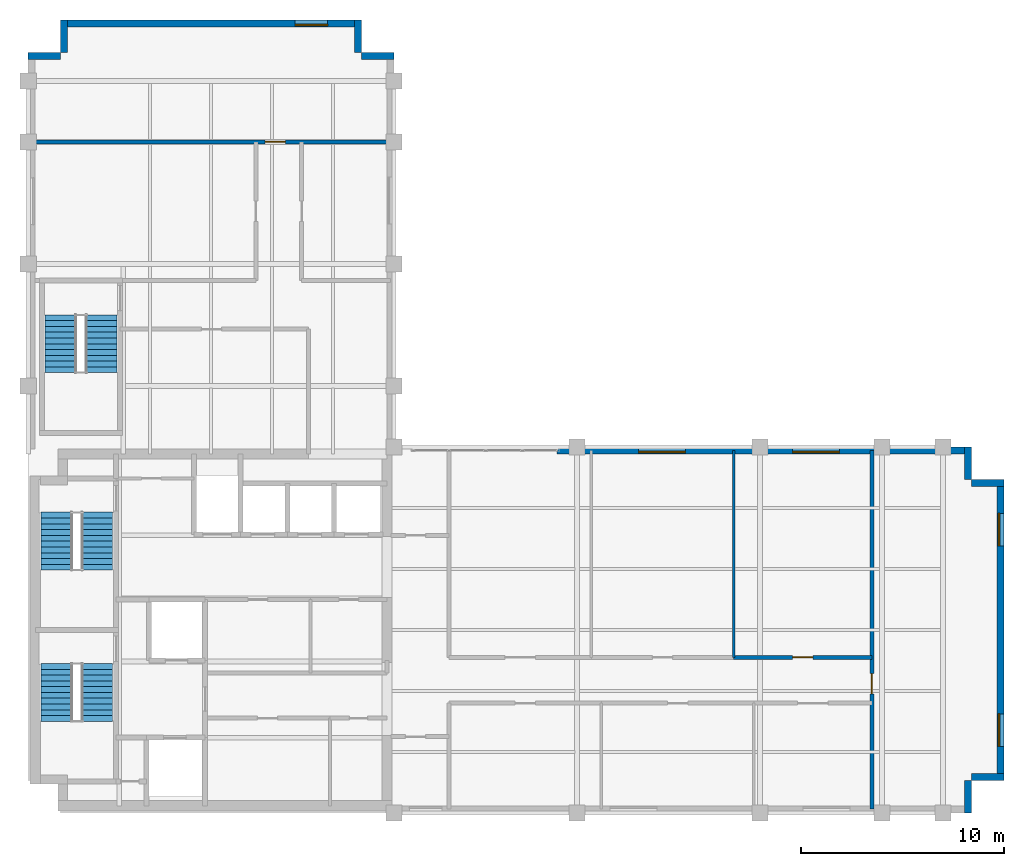
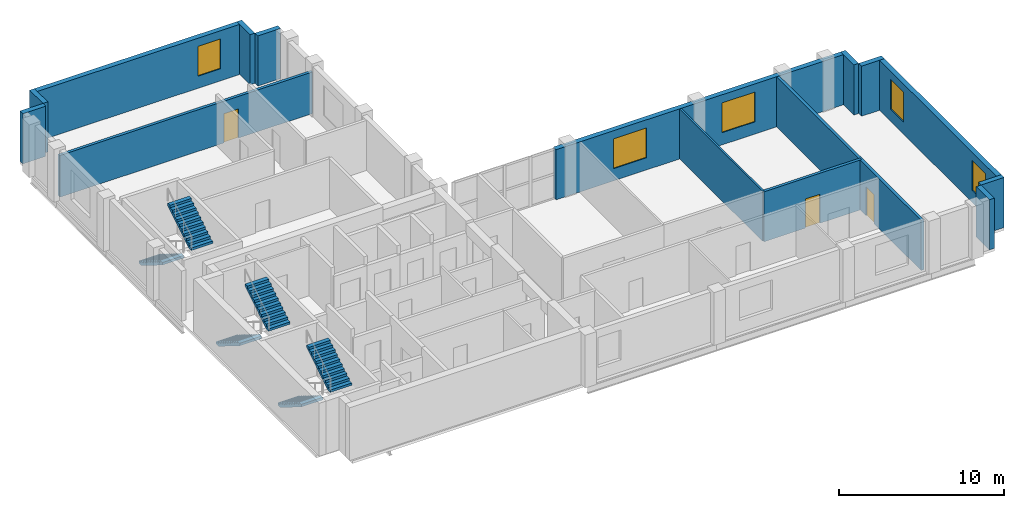
# One storey, part 6 of 7: 15 walls, 6 stair flights, 5 windows, 3 doors, 8 openings, 3 elements without a shape of their own.
"""IFC4 building model written with IfcOpenShell, lengths in metres."""

import ifcopenshell
import ifcopenshell.guid

model = None  # the IFC model being written
_history = None  # IfcOwnerHistory: only IFC2X3 demands one
_inside = {}  # id of a spatial element -> (the spatial element, [elements in it])
_under = {}  # id of a project, library or spatial element -> (it, [spatial elements below it])
_declared = {}  # id of a project -> (the project, [libraries it declares])
_typed = {}  # id of a type object -> (the type object, [elements of that type])
_made_of = {}  # id of a material, layer set ... -> (it, [elements and type objects made of it])


def new_model(schema):
    """Start an empty IFC model of exactly this schema.

    Asked for "IFC4X3", IfcOpenShell would pick the latest addendum, in which some entities
    have other attributes; the version numbers below select the first issue.
    IFC2X3 requires an IfcOwnerHistory on every rooted entity: one is made here for all.
    """
    global model, _history
    if schema == "IFC4X3":
        model = ifcopenshell.file(schema_version=(4, 3, 0, 0))
    else:
        model = ifcopenshell.file(schema=schema)
    _inside.clear()
    _under.clear()
    _declared.clear()
    _typed.clear()
    _made_of.clear()
    _history = None
    if model.schema == "IFC2X3":
        org = make("IfcOrganization", Name="unknown")
        user = make(
            "IfcPersonAndOrganization",
            ThePerson=make("IfcPerson", FamilyName="unknown"),
            TheOrganization=org,
        )
        app = make(
            "IfcApplication",
            ApplicationDeveloper=org,
            Version="unknown",
            ApplicationFullName="unknown",
            ApplicationIdentifier="unknown",
        )
        _history = make(
            "IfcOwnerHistory",
            OwningUser=user,
            OwningApplication=app,
            ChangeAction="ADDED",
            CreationDate=0,
        )
    return model


def make(cls, **values):
    """One entity of the class cls with the attributes given. An attribute that is None is left unset."""
    return model.create_entity(
        cls, **{name: value for name, value in values.items() if value is not None}
    )


def rooted(cls, **values):
    """An entity with a GlobalId (a new one), such as an element, a storey or a relation."""
    return make(cls, GlobalId=ifcopenshell.guid.new(), OwnerHistory=_history, **values)


def si_unit(unit_type, name, prefix=None):
    """IfcSIUnit, for example si_unit("LENGTHUNIT", "METRE", prefix="MILLI")."""
    return make("IfcSIUnit", UnitType=unit_type, Prefix=prefix, Name=name)


def assignment(units):
    """IfcUnitAssignment: the units of a project."""
    return None if units is None else make("IfcUnitAssignment", Units=units)


def point(xyz):
    """IfcCartesianPoint."""
    return None if xyz is None else make("IfcCartesianPoint", Coordinates=xyz)


def direction(xyz):
    """IfcDirection."""
    return None if xyz is None else make("IfcDirection", DirectionRatios=xyz)


def frame(location, z_axis=None, x_axis=None):
    """IfcAxis2Placement3D, a coordinate frame: its origin and axes. An axis left out is left unset."""
    return make(
        "IfcAxis2Placement3D",
        Location=point(location),
        Axis=direction(z_axis),
        RefDirection=direction(x_axis),
    )


def frame_2d(location, x_axis=None):
    """IfcAxis2Placement2D, a coordinate frame in the plane: its origin and x axis."""
    return make(
        "IfcAxis2Placement2D", Location=point(location), RefDirection=direction(x_axis)
    )


def origin():
    """The frame at (0, 0, 0) with its axes left unset."""
    return frame((0.0, 0.0, 0.0))


def place(relative_to, where):
    """IfcLocalPlacement: puts the frame where relative to a parent placement (None: the world)."""
    return make(
        "IfcLocalPlacement", PlacementRelTo=relative_to, RelativePlacement=where
    )


def context(
    kind, dimensions, precision=None, world=None, true_north=None, identifier=None
):
    """IfcGeometricRepresentationContext, for example the 3D "Model" context."""
    return make(
        "IfcGeometricRepresentationContext",
        ContextIdentifier=identifier,
        ContextType=kind,
        CoordinateSpaceDimension=dimensions,
        Precision=precision,
        WorldCoordinateSystem=world,
        TrueNorth=true_north,
    )


def subcontext(parent, identifier, kind, view, scale=None):
    """IfcGeometricRepresentationSubContext, for example "Body" below "Model"."""
    return make(
        "IfcGeometricRepresentationSubContext",
        ContextIdentifier=identifier,
        ContextType=kind,
        ParentContext=parent,
        TargetScale=scale,
        TargetView=view,
    )


def project(units=None, contexts=None):
    """IfcProject with its units and contexts."""
    return rooted(
        "IfcProject",
        Name="project",
        RepresentationContexts=contexts,
        UnitsInContext=assignment(units),
    )


def spatial(cls, under=None, at=None, **own):
    """A site, building, storey or space (cls), placed at a placement, below another one or the project."""
    s = rooted(cls, ObjectPlacement=at, **own)
    if under is not None:
        _under.setdefault(under.id(), (under, []))[1].append(s)
    return s


def polyline(points):
    """IfcPolyline through the points."""
    return make("IfcPolyline", Points=[point(p) for p in points])


def profile(cls, at=None, kind="AREA", **sizes):
    """A parametric profile (cls). Its sizes go by their IFC names, for example OverallWidth=200.0."""
    return make(cls, ProfileType=kind, Position=at, **sizes)


def rectangle(**sizes):
    """IfcRectangleProfileDef."""
    return profile("IfcRectangleProfileDef", **sizes)


def outline(outer, holes=None, kind="AREA"):
    """IfcArbitraryClosedProfileDef: a profile drawn as a closed curve; with holes, ...WithVoids."""
    if holes is None:
        return make("IfcArbitraryClosedProfileDef", ProfileType=kind, OuterCurve=outer)
    return make(
        "IfcArbitraryProfileDefWithVoids",
        ProfileType=kind,
        OuterCurve=outer,
        InnerCurves=holes,
    )


def extrude(swept, where, along, depth):
    """IfcExtrudedAreaSolid: the profile swept, set in the frame where, extruded along a direction by depth."""
    return make(
        "IfcExtrudedAreaSolid",
        SweptArea=swept,
        Position=where,
        ExtrudedDirection=direction(along),
        Depth=depth,
    )


def shape(context_of_items, identifier, shape_type, items):
    """IfcShapeRepresentation: the items that make up one representation, for example the "Body"."""
    return make(
        "IfcShapeRepresentation",
        ContextOfItems=context_of_items,
        RepresentationIdentifier=identifier,
        RepresentationType=shape_type,
        Items=items,
    )


def material(Name=None, Category=None):
    """IfcMaterial."""
    return make("IfcMaterial", Name=Name, Category=Category)


def layer(
    of_material, thickness, ventilated=None, Name=None, Category=None, Priority=None
):
    """IfcMaterialLayer: one layer of a wall or slab, of a material (None: an air gap)."""
    return make(
        "IfcMaterialLayer",
        Material=of_material,
        LayerThickness=thickness,
        IsVentilated=ventilated,
        Name=Name,
        Category=Category,
        Priority=Priority,
    )


def layer_set(layers, Name=None):
    """IfcMaterialLayerSet."""
    return make("IfcMaterialLayerSet", MaterialLayers=layers, LayerSetName=Name)


def made_of(thing, what):
    """Note that an element or type object is made of a material, layer set ...; save() writes the relation."""
    if what is not None:
        _made_of.setdefault(what.id(), (what, []))[1].append(thing)
    return thing


def type_object(cls, material=None, **own):
    """A type object (cls), such as IfcWallType, which elements share."""
    return made_of(rooted(cls, **own), material)


def element(
    cls,
    number,
    at=None,
    inside=None,
    cuts=None,
    type_object=None,
    material=None,
    context=None,
    identifier="Body",
    shape_type=None,
    held_by="IfcProductDefinitionShape",
    body=None,
    shapes=None,
    **own,
):
    """One element of the class cls, such as IfcWall. Its Tag is "e" and its number.

    at: its placement. inside: the storey or other place that contains it. cuts: it is an
    opening in that element (IfcRelVoidsElement). A single representation is given by context,
    identifier, shape_type and body (its items); several are given by shapes. held_by: the class
    of the entity that holds the representations. save() writes the other relations.
    """
    e = rooted(cls, Tag="e%d" % number, ObjectPlacement=at, **own)
    if body is not None:
        shapes = [shape(context, identifier, shape_type, body)]
    if shapes is not None:
        e.Representation = make(held_by, Representations=shapes)
    if inside is not None:
        _inside.setdefault(inside.id(), (inside, []))[1].append(e)
    if cuts is not None:
        rooted(
            "IfcRelVoidsElement", RelatingBuildingElement=cuts, RelatedOpeningElement=e
        )
    if type_object is not None:
        _typed.setdefault(type_object.id(), (type_object, []))[1].append(e)
    return made_of(e, material)


def fill(opening, filler):
    """IfcRelFillsElement: the door or window that sits in an opening."""
    return rooted(
        "IfcRelFillsElement",
        RelatingOpeningElement=opening,
        RelatedBuildingElement=filler,
    )


def aggregate(whole, parts):
    """IfcRelAggregates: a whole, such as a stair, and the parts it consists of."""
    return rooted("IfcRelAggregates", RelatingObject=whole, RelatedObjects=parts)


def save(model, path):
    """Write the relations noted so far, then the file.

    IfcRelAggregates (storeys below a building ...), IfcRelContainedInSpatialStructure (elements
    in a storey), IfcRelDefinesByType, IfcRelAssociatesMaterial and IfcRelDeclares: one each for
    every whole, place, type object, material and project.
    """
    for whole, parts in _under.values():
        aggregate(whole, parts)
    for where, things in _inside.values():
        rooted(
            "IfcRelContainedInSpatialStructure",
            RelatedElements=things,
            RelatingStructure=where,
        )
    for kind, things in _typed.values():
        rooted("IfcRelDefinesByType", RelatedObjects=things, RelatingType=kind)
    for what, things in _made_of.values():
        rooted("IfcRelAssociatesMaterial", RelatedObjects=things, RelatingMaterial=what)
    for by, libraries in _declared.values():
        rooted("IfcRelDeclares", RelatingContext=by, RelatedDefinitions=libraries)
    model.write(path)


model = new_model("IFC4")

# Units and contexts
model_context = context("Model", 3, precision=1e-05, world=origin(), true_north=direction((0.0, 1.0)))
body_context = subcontext(model_context, "Body", "Model", "MODEL_VIEW")
ifc_project = project(units=[si_unit("LENGTHUNIT", "METRE"), si_unit("AREAUNIT", "SQUARE_METRE"), si_unit("VOLUMEUNIT", "CUBIC_METRE"), si_unit("PLANEANGLEUNIT", "RADIAN"), si_unit("MASSUNIT", "GRAM", prefix="KILO")], contexts=[model_context])

# Site, building, storey
site_placement = place(None, origin())
site = spatial("IfcSite", under=ifc_project, at=site_placement, CompositionType="ELEMENT")
building_placement = place(site_placement, origin())
building = spatial("IfcBuilding", under=site, at=building_placement, Name="Mawjdan Bourse Tower", CompositionType="ELEMENT")
storey_placement = place(building_placement, frame((0.0, 0.0, 235.199951171875)))
storey = spatial("IfcBuildingStorey", under=building, at=storey_placement, Name="L57", CompositionType="ELEMENT", Elevation=235.199951171875)

# Walls
ifc_material_1 = material(Name="Brick Masonry Buff", Category="masonry")
ifc_layer_1 = layer(ifc_material_1, 0.340087890625)
ifc_layer_set_1 = layer_set([ifc_layer_1], Name="Brick Masonry Buff")
wall_type_1 = type_object("IfcWallType", Name="WL-BRK-SPN-340", PredefinedType="STANDARD", material=ifc_layer_set_1)
for number, where, z_axis, x_axis, name in (
    (1, (52.22998046875, 3.0, 0.0), (0.0, 0.0, 1.0), (0.0, 1.0, 0.0), "L57 Exterior Brick Wall 2"),
    (2, (52.39990234375, 4.77001953125, 0.0), (0.0, 0.0, 1.0), (1.0, 0.0, 0.0), "L57 Exterior Brick Wall 3"),
):
    element("IfcWall", number, at=place(storey_placement, frame(where, z_axis=z_axis, x_axis=x_axis)), inside=storey, type_object=wall_type_1, Name=name, PredefinedType="STANDARD", context=body_context, shape_type="SweptSolid", body=[
        extrude(rectangle(XDim=1.60009765625, YDim=0.340087890625, at=frame_2d((0.800048828125, 0.0))), origin(), (0.0, 0.0, 1.0), 3.699951171875),
    ])

# Wall, openings, windows
wall_1_placement = place(storey_placement, frame((53.830078125, 4.60009765625, 0.0), z_axis=(0.0, 0.0, 1.0), x_axis=(0.0, 1.0, 0.0)))
wall_1 = element("IfcWall", 3, at=wall_1_placement, inside=storey, type_object=wall_type_1, Name="L57 Exterior Brick Wall 4", PredefinedType="STANDARD", context=body_context, shape_type="SweptSolid", body=[
    extrude(rectangle(XDim=14.7998046875, YDim=0.340087890625, at=frame_2d((7.39990234375, 0.0))), origin(), (0.0, 0.0, 1.0), 3.699951171875),
])
opening_1_placement = place(wall_1_placement, frame((1.666748046875, 0.0, 0.89990234375)))
opening_1 = element("IfcOpeningElement", 4, at=opening_1_placement, cuts=wall_1, Name="Opening W-L57-03", PredefinedType="OPENING", context=body_context, shape_type="SweptSolid", body=[
    extrude(rectangle(XDim=1.60009765625, YDim=2.199951171875, at=frame_2d((0.800048828125, 1.10009765625))), frame((0.0, 0.18017578125, 0.0), z_axis=(0.0, -1.0, 0.0), x_axis=(1.0, 0.0, 0.0)), (0.0, 0.0, 1.0), 0.360107421875),
])
opening_2_placement = place(wall_1_placement, frame((11.533203125, 0.0, 0.89990234375)))
opening_2 = element("IfcOpeningElement", 5, at=opening_2_placement, cuts=wall_1, Name="Opening W-L57-04", PredefinedType="OPENING", context=body_context, shape_type="SweptSolid", body=[
    extrude(rectangle(XDim=1.60009765625, YDim=2.199951171875, at=frame_2d((0.800048828125, 1.10009765625))), frame((0.0, 0.18017578125, 0.0), z_axis=(0.0, -1.0, 0.0), x_axis=(1.0, 0.0, 0.0)), (0.0, 0.0, 1.0), 0.360107421875),
])
ifc_material_2 = material(Name="Solar-Control Clear Double Glazing", Category="glass")
window_type_1 = type_object("IfcWindowType", Name="WN-Z3-1600", PartitioningType="SINGLE_PANEL", PredefinedType="WINDOW", material=ifc_material_2)
window_1_placement = place(opening_1_placement, origin())
window_1 = element("IfcWindow", 6, at=window_1_placement, inside=storey, type_object=window_type_1, Name="L57 Deep-Set Masonry Window W-L57-03", OverallHeight=2.199951171875, OverallWidth=1.60009765625, PartitioningType="SINGLE_PANEL", PredefinedType="WINDOW", context=body_context, shape_type="SweptSolid", body=[
    extrude(rectangle(XDim=1.60009765625, YDim=2.199951171875, at=frame_2d((0.800048828125, 1.10009765625))), frame((0.0, 0.110107421875, 0.0), z_axis=(0.0, -1.0, 0.0), x_axis=(1.0, 0.0, 0.0)), (0.0, 0.0, 1.0), 0.06005859375),
])
fill(opening_1, window_1)
window_2_placement = place(opening_2_placement, origin())
window_2 = element("IfcWindow", 7, at=window_2_placement, inside=storey, type_object=window_type_1, Name="L57 Deep-Set Masonry Window W-L57-04", OverallHeight=2.199951171875, OverallWidth=1.60009765625, PartitioningType="SINGLE_PANEL", PredefinedType="WINDOW", context=body_context, shape_type="SweptSolid", body=[
    extrude(rectangle(XDim=1.60009765625, YDim=2.199951171875, at=frame_2d((0.800048828125, 1.10009765625))), frame((0.0, 0.110107421875, 0.0), z_axis=(0.0, -1.0, 0.0), x_axis=(1.0, 0.0, 0.0)), (0.0, 0.0, 1.0), 0.06005859375),
])
fill(opening_2, window_2)

# Walls
for number, where, z_axis, x_axis, name in (
    (8, (54.0, 19.22998046875, 0.0), (0.0, 0.0, 1.0), (-1.0, 0.0, 0.0), "L57 Exterior Brick Wall 5"),
    (9, (52.22998046875, 19.39990234375, 0.0), (0.0, 0.0, 1.0), (0.0, 1.0, 0.0), "L57 Exterior Brick Wall 6"),
):
    element("IfcWall", number, at=place(storey_placement, frame(where, z_axis=z_axis, x_axis=x_axis)), inside=storey, type_object=wall_type_1, Name=name, PredefinedType="STANDARD", context=body_context, shape_type="SweptSolid", body=[
        extrude(rectangle(XDim=1.60009765625, YDim=0.340087890625, at=frame_2d((0.800048828125, 0.0))), origin(), (0.0, 0.0, 1.0), 3.699951171875),
    ])

# Wall, openings, windows
wall_2_placement = place(storey_placement, frame((52.39990234375, 20.830078125, 0.0), z_axis=(0.0, 0.0, 1.0), x_axis=(-1.0, 0.0, 0.0)))
wall_2 = element("IfcWall", 10, at=wall_2_placement, inside=storey, type_object=wall_type_1, Name="L57 Exterior Brick Wall 7A", PredefinedType="STANDARD", context=body_context, shape_type="SweptSolid", body=[
    extrude(rectangle(XDim=20.3798828125, YDim=0.340087890625, at=frame_2d((10.18994140625, 0.0))), origin(), (0.0, 0.0, 1.0), 3.699951171875),
])
opening_3_placement = place(wall_2_placement, frame((6.492431640625, 0.0, 0.89990234375)))
opening_3 = element("IfcOpeningElement", 11, at=opening_3_placement, cuts=wall_2, Name="Opening W-L57-05", PredefinedType="OPENING", context=body_context, shape_type="SweptSolid", body=[
    extrude(rectangle(XDim=2.300048828125, YDim=2.199951171875, at=frame_2d((1.14990234375, 1.10009765625))), frame((0.0, 0.18017578125, 0.0), z_axis=(0.0, -1.0, 0.0), x_axis=(1.0, 0.0, 0.0)), (0.0, 0.0, 1.0), 0.360107421875),
])
opening_4_placement = place(wall_2_placement, frame((14.07470703125, 0.0, 0.89990234375)))
opening_4 = element("IfcOpeningElement", 12, at=opening_4_placement, cuts=wall_2, Name="Opening W-L57-10", PredefinedType="OPENING", context=body_context, shape_type="SweptSolid", body=[
    extrude(rectangle(XDim=2.300048828125, YDim=2.199951171875, at=frame_2d((1.14990234375, 1.10009765625))), frame((0.0, 0.18017578125, 0.0), z_axis=(0.0, -1.0, 0.0), x_axis=(1.0, 0.0, 0.0)), (0.0, 0.0, 1.0), 0.360107421875),
])
window_type_2 = type_object("IfcWindowType", Name="WN-Z3-2300", PartitioningType="SINGLE_PANEL", PredefinedType="WINDOW", material=ifc_material_2)
window_3_placement = place(opening_3_placement, origin())
window_3 = element("IfcWindow", 13, at=window_3_placement, inside=storey, type_object=window_type_2, Name="L57 Deep-Set Masonry Window W-L57-05", OverallHeight=2.199951171875, OverallWidth=2.300048828125, PartitioningType="SINGLE_PANEL", PredefinedType="WINDOW", context=body_context, shape_type="SweptSolid", body=[
    extrude(rectangle(XDim=2.300048828125, YDim=2.199951171875, at=frame_2d((1.14990234375, 1.10009765625))), frame((0.0, 0.110107421875, 0.0), z_axis=(0.0, -1.0, 0.0), x_axis=(1.0, 0.0, 0.0)), (0.0, 0.0, 1.0), 0.06005859375),
])
fill(opening_3, window_3)
window_4_placement = place(opening_4_placement, origin())
window_4 = element("IfcWindow", 14, at=window_4_placement, inside=storey, type_object=window_type_2, Name="L57 Deep-Set Masonry Window W-L57-10", OverallHeight=2.199951171875, OverallWidth=2.300048828125, PartitioningType="SINGLE_PANEL", PredefinedType="WINDOW", context=body_context, shape_type="SweptSolid", body=[
    extrude(rectangle(XDim=2.300048828125, YDim=2.199951171875, at=frame_2d((1.14990234375, 1.10009765625))), frame((0.0, 0.110107421875, 0.0), z_axis=(0.0, -1.0, 0.0), x_axis=(1.0, 0.0, 0.0)), (0.0, 0.0, 1.0), 0.06005859375),
])
fill(opening_4, window_4)

# Walls
for number, where, z_axis, x_axis, name in (
    (15, (24.0, 40.22998046875, 0.0), (0.0, 0.0, 1.0), (-1.0, 0.0, 0.0), "L57 Exterior Brick Wall 9"),
    (16, (22.22998046875, 40.39990234375, 0.0), (0.0, 0.0, 1.0), (0.0, 1.0, 0.0), "L57 Exterior Brick Wall 10"),
):
    element("IfcWall", number, at=place(storey_placement, frame(where, z_axis=z_axis, x_axis=x_axis)), inside=storey, type_object=wall_type_1, Name=name, PredefinedType="STANDARD", context=body_context, shape_type="SweptSolid", body=[
        extrude(rectangle(XDim=1.60009765625, YDim=0.340087890625, at=frame_2d((0.800048828125, 0.0))), origin(), (0.0, 0.0, 1.0), 3.699951171875),
    ])

# Wall, opening, window
wall_3_placement = place(storey_placement, frame((22.39990234375, 41.830078125, 0.0), z_axis=(0.0, 0.0, 1.0), x_axis=(-1.0, 0.0, 0.0)))
wall_3 = element("IfcWall", 17, at=wall_3_placement, inside=storey, type_object=wall_type_1, Name="L57 Exterior Brick Wall 11", PredefinedType="STANDARD", context=body_context, shape_type="SweptSolid", body=[
    extrude(rectangle(XDim=14.7998046875, YDim=0.340087890625, at=frame_2d((7.39990234375, 0.0))), origin(), (0.0, 0.0, 1.0), 3.699951171875),
])
opening_5_placement = place(wall_3_placement, frame((1.666748046875, 0.0, 0.89990234375)))
opening_5 = element("IfcOpeningElement", 18, at=opening_5_placement, cuts=wall_3, Name="Opening W-L57-07", PredefinedType="OPENING", context=body_context, shape_type="SweptSolid", body=[
    extrude(rectangle(XDim=1.60009765625, YDim=2.199951171875, at=frame_2d((0.800048828125, 1.10009765625))), frame((0.0, 0.18017578125, 0.0), z_axis=(0.0, -1.0, 0.0), x_axis=(1.0, 0.0, 0.0)), (0.0, 0.0, 1.0), 0.360107421875),
])
window_5_placement = place(opening_5_placement, origin())
window_5 = element("IfcWindow", 19, at=window_5_placement, inside=storey, type_object=window_type_1, Name="L57 Deep-Set Masonry Window W-L57-07", OverallHeight=2.199951171875, OverallWidth=1.60009765625, PartitioningType="SINGLE_PANEL", PredefinedType="WINDOW", context=body_context, shape_type="SweptSolid", body=[
    extrude(rectangle(XDim=1.60009765625, YDim=2.199951171875, at=frame_2d((0.800048828125, 1.10009765625))), frame((0.0, 0.110107421875, 0.0), z_axis=(0.0, -1.0, 0.0), x_axis=(1.0, 0.0, 0.0)), (0.0, 0.0, 1.0), 0.06005859375),
])
fill(opening_5, window_5)

# Walls
for number, where, z_axis, x_axis, name in (
    (20, (7.77001953125, 42.0, 0.0), (0.0, 0.0, 1.0), (0.0, -1.0, 0.0), "L57 Exterior Brick Wall 12"),
    (21, (7.60009765625, 40.22998046875, 0.0), (0.0, 0.0, 1.0), (-1.0, 0.0, 0.0), "L57 Exterior Brick Wall 13"),
):
    element("IfcWall", number, at=place(storey_placement, frame(where, z_axis=z_axis, x_axis=x_axis)), inside=storey, type_object=wall_type_1, Name=name, PredefinedType="STANDARD", context=body_context, shape_type="SweptSolid", body=[
        extrude(rectangle(XDim=1.60009765625, YDim=0.340087890625, at=frame_2d((0.800048828125, 0.0))), origin(), (0.0, 0.0, 1.0), 3.699951171875),
    ])

# Wall, opening, door
ifc_material_3 = material(Name="Gypsum Fireboard Assembly")
ifc_layer_2 = layer(ifc_material_3, 0.199951171875)
ifc_layer_set_2 = layer_set([ifc_layer_2], Name="Gypsum Fireboard Assembly")
wall_type_2 = type_object("IfcWallType", Name="WL-CMP-200", PredefinedType="PARTITIONING", material=ifc_layer_set_2)
wall_4_placement = place(storey_placement, frame((40.699951171875, 10.64990234375, 0.0), z_axis=(0.0, 0.0, 1.0), x_axis=(1.0, 0.0, 0.0)))
wall_4 = element("IfcWall", 22, at=wall_4_placement, inside=storey, type_object=wall_type_2, Name="L57 Client Meeting Room Corridor Wall", PredefinedType="PARTITIONING", context=body_context, shape_type="SweptSolid", body=[
    extrude(rectangle(XDim=6.800048828125, YDim=0.199951171875, at=frame_2d((3.39990234375, 0.0))), origin(), (0.0, 0.0, 1.0), 3.68994140625),
])
opening_6_placement = place(wall_4_placement, frame((2.89990234375, 0.0, 0.0)))
opening_6 = element("IfcOpeningElement", 23, at=opening_6_placement, cuts=wall_4, Name="Opening D-L57-26", PredefinedType="OPENING", context=body_context, shape_type="SweptSolid", body=[
    extrude(rectangle(XDim=1.0, YDim=2.14990234375, at=frame_2d((0.5, 1.074951171875))), frame((0.0, 0.10986328125, 0.0), z_axis=(0.0, -1.0, 0.0), x_axis=(1.0, 0.0, 0.0)), (0.0, 0.0, 1.0), 0.219970703125),
])
ifc_material_4 = material(Name="Hardwood Acoustic Leaf", Category="wood")
door_type = type_object("IfcDoorType", Name="DR-OFC-1000", OperationType="NOTDEFINED", PredefinedType="DOOR", material=ifc_material_4)
door_1_placement = place(opening_6_placement, origin())
door_1 = element("IfcDoor", 24, at=door_1_placement, inside=storey, type_object=door_type, Name="L57 Client Meeting Room Door D-L57-26", OperationType="SINGLE_SWING_LEFT", OverallHeight=2.14990234375, OverallWidth=1.0, PredefinedType="DOOR", context=body_context, shape_type="SweptSolid", body=[
    extrude(rectangle(XDim=1.0, YDim=2.14990234375, at=frame_2d((0.5, 1.074951171875))), frame((0.0, 0.02490234375, 0.0), z_axis=(0.0, -1.0, 0.0), x_axis=(1.0, 0.0, 0.0)), (0.0, 0.0, 1.0), 0.050048828125),
])
fill(opening_6, door_1)

wall_5_placement = place(storey_placement, frame((47.5, 3.179931640625, 0.0), z_axis=(0.0, 0.0, 1.0), x_axis=(0.0, 1.0, 0.0)))
wall_5 = element("IfcWall", 25, at=wall_5_placement, inside=storey, type_object=wall_type_2, Name="L57 East Tip Full Cross Wall", PredefinedType="PARTITIONING", context=body_context, shape_type="SweptSolid", body=[
    extrude(rectangle(XDim=17.64013671875, YDim=0.199951171875, at=frame_2d((8.820068359375, 0.0))), origin(), (0.0, 0.0, 1.0), 3.68994140625),
])
opening_7_placement = place(wall_5_placement, frame((5.675048828125, 0.0, 0.0)))
opening_7 = element("IfcOpeningElement", 26, at=opening_7_placement, cuts=wall_5, Name="Opening D-L57-27", PredefinedType="OPENING", context=body_context, shape_type="SweptSolid", body=[
    extrude(rectangle(XDim=1.0, YDim=2.14990234375, at=frame_2d((0.5, 1.074951171875))), frame((0.0, 0.10986328125, 0.0), z_axis=(0.0, -1.0, 0.0), x_axis=(1.0, 0.0, 0.0)), (0.0, 0.0, 1.0), 0.219970703125),
])
door_2_placement = place(opening_7_placement, origin())
door_2 = element("IfcDoor", 27, at=door_2_placement, inside=storey, type_object=door_type, Name="L57 East Tip Hall Door D-L57-27", OperationType="SINGLE_SWING_RIGHT", OverallHeight=2.14990234375, OverallWidth=1.0, PredefinedType="DOOR", context=body_context, shape_type="SweptSolid", body=[
    extrude(rectangle(XDim=1.0, YDim=2.14990234375, at=frame_2d((0.5, 1.074951171875))), frame((0.0, 0.02490234375, 0.0), z_axis=(0.0, -1.0, 0.0), x_axis=(1.0, 0.0, 0.0)), (0.0, 0.0, 1.0), 0.050048828125),
])
fill(opening_7, door_2)

wall_6_placement = place(storey_placement, frame((6.179931640625, 36.0, 0.0), z_axis=(0.0, 0.0, 1.0), x_axis=(1.0, 0.0, 0.0)))
wall_6 = element("IfcWall", 28, at=wall_6_placement, inside=storey, type_object=wall_type_2, Name="L57 North Tip Full Cross Wall", PredefinedType="PARTITIONING", context=body_context, shape_type="SweptSolid", body=[
    extrude(rectangle(XDim=17.64013671875, YDim=0.199951171875, at=frame_2d((8.820068359375, 0.0))), origin(), (0.0, 0.0, 1.0), 3.072998046875),
])
opening_8_placement = place(wall_6_placement, frame((11.47509765625, 0.0, 0.0)))
opening_8 = element("IfcOpeningElement", 29, at=opening_8_placement, cuts=wall_6, Name="Opening D-L57-31", PredefinedType="OPENING", context=body_context, shape_type="SweptSolid", body=[
    extrude(rectangle(XDim=1.0, YDim=2.14990234375, at=frame_2d((0.5, 1.074951171875))), frame((0.0, 0.10986328125, 0.0), z_axis=(0.0, -1.0, 0.0), x_axis=(1.0, 0.0, 0.0)), (0.0, 0.0, 1.0), 0.219970703125),
])
door_3_placement = place(opening_8_placement, origin())
door_3 = element("IfcDoor", 30, at=door_3_placement, inside=storey, type_object=door_type, Name="L57 North Tip Suite Door D-L57-31", OperationType="SINGLE_SWING_RIGHT", OverallHeight=2.14990234375, OverallWidth=1.0, PredefinedType="DOOR", context=body_context, shape_type="SweptSolid", body=[
    extrude(rectangle(XDim=1.0, YDim=2.14990234375, at=frame_2d((0.5, 1.074951171875))), frame((0.0, 0.02490234375, 0.0), z_axis=(0.0, -1.0, 0.0), x_axis=(1.0, 0.0, 0.0)), (0.0, 0.0, 1.0), 0.050048828125),
])
fill(opening_8, door_3)

# Wall
ifc_material_5 = material(Name="Gypsum Partition")
ifc_layer_3 = layer(ifc_material_5, 0.125)
ifc_layer_set_3 = layer_set([ifc_layer_3], Name="Gypsum Partition")
wall_type_3 = type_object("IfcWallType", Name="WL-PRT-125", PredefinedType="PARTITIONING", material=ifc_layer_set_3)
wall_7_placement = place(storey_placement, frame((40.699951171875, 10.64990234375, 0.0), z_axis=(0.0, 0.0, 1.0), x_axis=(0.0, 1.0, 0.0)))
element("IfcWall", 31, at=wall_7_placement, inside=storey, type_object=wall_type_3, Name="L57 Client Meeting Room Partition", PredefinedType="PARTITIONING", context=body_context, shape_type="SweptSolid", body=[
    extrude(rectangle(XDim=10.170166015625, YDim=0.125, at=frame_2d((5.0849609375, 0.0))), origin(), (0.0, 0.0, 1.0), 3.68994140625),
])

# Stair, stair flights
ifc_material_6 = material(Name="Concrete C50/60", Category="concrete")
stair_type = type_object("IfcStairType", Name="STR-CORE-1500", PredefinedType="HALF_TURN_STAIR", material=ifc_material_6)
stair_1_placement = place(storey_placement, origin())
stair_1 = element("IfcStair", 32, at=stair_1_placement, inside=storey, type_object=stair_type, Name="L57 Exit Stair 1 (Core South-West)", PredefinedType="HALF_TURN_STAIR")
stair_flight_type = type_object("IfcStairFlightType", Name="SFL-RC-1500", PredefinedType="STRAIGHT", material=ifc_material_6)
stair_flight_1_placement = place(storey_placement, frame((7.389892578125, 10.35009765625, 0.0), z_axis=(0.0, 0.0, 1.0), x_axis=(0.0, -1.0, 0.0)))
stair_flight_1 = element("IfcStairFlight", 33, at=stair_flight_1_placement, type_object=stair_flight_type, Name="ST1-L57 flight 1", NumberOfRisers=11, NumberOfTreads=10, PredefinedType="STRAIGHT", RiserHeight=0.177273, TreadLength=0.285, context=body_context, shape_type="SweptSolid", body=[
    extrude(outline(polyline([(0.0, 0.0), (0.0, 0.17724609375), (0.284912109375, 0.17724609375), (0.284912109375, 0.3544921875), (0.570068359375, 0.3544921875), (0.570068359375, 0.53173828125), (0.85498046875, 0.53173828125), (0.85498046875, 0.708984375), (1.139892578125, 0.708984375), (1.139892578125, 0.886474609375), (1.425048828125, 0.886474609375), (1.425048828125, 1.063720703125), (1.7099609375, 1.063720703125), (1.7099609375, 1.240966796875), (1.9951171875, 1.240966796875), (1.9951171875, 1.418212890625), (2.280029296875, 1.418212890625), (2.280029296875, 1.595458984375), (2.56494140625, 1.595458984375), (2.56494140625, 1.772705078125), (2.85009765625, 1.772705078125), (2.85009765625, 1.949951171875), (2.85009765625, 1.58447265625), (0.302734375, 0.0), (0.0, 0.0)])), frame((0.0, 0.75, 0.0), z_axis=(0.0, -1.0, 0.0), x_axis=(1.0, 0.0, 0.0)), (0.0, 0.0, 1.0), 1.5),
])
stair_flight_2_placement = place(storey_placement, frame((9.409912109375, 7.5, 1.949951171875), z_axis=(0.0, 0.0, 1.0), x_axis=(0.0, 1.0, 0.0)))
stair_flight_2 = element("IfcStairFlight", 34, at=stair_flight_2_placement, type_object=stair_flight_type, Name="ST1-L57 flight 2", NumberOfRisers=11, NumberOfTreads=10, PredefinedType="STRAIGHT", RiserHeight=0.177273, TreadLength=0.285, context=body_context, shape_type="SweptSolid", body=[
    extrude(outline(polyline([(0.0, 0.0), (0.0, 0.17724609375), (0.284912109375, 0.17724609375), (0.284912109375, 0.3544921875), (0.570068359375, 0.3544921875), (0.570068359375, 0.53173828125), (0.85498046875, 0.53173828125), (0.85498046875, 0.708984375), (1.139892578125, 0.708984375), (1.139892578125, 0.886474609375), (1.425048828125, 0.886474609375), (1.425048828125, 1.063720703125), (1.7099609375, 1.063720703125), (1.7099609375, 1.240966796875), (1.9951171875, 1.240966796875), (1.9951171875, 1.418212890625), (2.280029296875, 1.418212890625), (2.280029296875, 1.595458984375), (2.56494140625, 1.595458984375), (2.56494140625, 1.772705078125), (2.85009765625, 1.772705078125), (2.85009765625, 1.949951171875), (2.85009765625, 1.58447265625), (0.302734375, 0.0), (0.0, 0.0)])), frame((0.0, 0.75, 0.0), z_axis=(0.0, -1.0, 0.0), x_axis=(1.0, 0.0, 0.0)), (0.0, 0.0, 1.0), 1.5),
])
aggregate(stair_1, [stair_flight_1, stair_flight_2])

stair_2_placement = place(storey_placement, origin())
stair_2 = element("IfcStair", 35, at=stair_2_placement, inside=storey, type_object=stair_type, Name="L57 Exit Stair 2 (Core North-West)", PredefinedType="HALF_TURN_STAIR")
stair_flight_3_placement = place(storey_placement, frame((7.389892578125, 17.7900390625, 0.0), z_axis=(0.0, 0.0, 1.0), x_axis=(0.0, -1.0, 0.0)))
stair_flight_3 = element("IfcStairFlight", 36, at=stair_flight_3_placement, type_object=stair_flight_type, Name="ST2-L57 flight 1", NumberOfRisers=11, NumberOfTreads=10, PredefinedType="STRAIGHT", RiserHeight=0.177273, TreadLength=0.285, context=body_context, shape_type="SweptSolid", body=[
    extrude(outline(polyline([(0.0, 0.0), (0.0, 0.17724609375), (0.284912109375, 0.17724609375), (0.284912109375, 0.3544921875), (0.570068359375, 0.3544921875), (0.570068359375, 0.53173828125), (0.85498046875, 0.53173828125), (0.85498046875, 0.708984375), (1.139892578125, 0.708984375), (1.139892578125, 0.886474609375), (1.425048828125, 0.886474609375), (1.425048828125, 1.063720703125), (1.7099609375, 1.063720703125), (1.7099609375, 1.240966796875), (1.9951171875, 1.240966796875), (1.9951171875, 1.418212890625), (2.280029296875, 1.418212890625), (2.280029296875, 1.595458984375), (2.56494140625, 1.595458984375), (2.56494140625, 1.772705078125), (2.85009765625, 1.772705078125), (2.85009765625, 1.949951171875), (2.85009765625, 1.58447265625), (0.302734375, 0.0), (0.0, 0.0)])), frame((0.0, 0.75, 0.0), z_axis=(0.0, -1.0, 0.0), x_axis=(1.0, 0.0, 0.0)), (0.0, 0.0, 1.0), 1.5),
])
stair_flight_4_placement = place(storey_placement, frame((9.409912109375, 14.93994140625, 1.949951171875), z_axis=(0.0, 0.0, 1.0), x_axis=(0.0, 1.0, 0.0)))
stair_flight_4 = element("IfcStairFlight", 37, at=stair_flight_4_placement, type_object=stair_flight_type, Name="ST2-L57 flight 2", NumberOfRisers=11, NumberOfTreads=10, PredefinedType="STRAIGHT", RiserHeight=0.177273, TreadLength=0.285, context=body_context, shape_type="SweptSolid", body=[
    extrude(outline(polyline([(0.0, 0.0), (0.0, 0.17724609375), (0.284912109375, 0.17724609375), (0.284912109375, 0.3544921875), (0.570068359375, 0.3544921875), (0.570068359375, 0.53173828125), (0.85498046875, 0.53173828125), (0.85498046875, 0.708984375), (1.139892578125, 0.708984375), (1.139892578125, 0.886474609375), (1.425048828125, 0.886474609375), (1.425048828125, 1.063720703125), (1.7099609375, 1.063720703125), (1.7099609375, 1.240966796875), (1.9951171875, 1.240966796875), (1.9951171875, 1.418212890625), (2.280029296875, 1.418212890625), (2.280029296875, 1.595458984375), (2.56494140625, 1.595458984375), (2.56494140625, 1.772705078125), (2.85009765625, 1.772705078125), (2.85009765625, 1.949951171875), (2.85009765625, 1.58447265625), (0.302734375, 0.0), (0.0, 0.0)])), frame((0.0, 0.75, 0.0), z_axis=(0.0, -1.0, 0.0), x_axis=(1.0, 0.0, 0.0)), (0.0, 0.0, 1.0), 1.5),
])
aggregate(stair_2, [stair_flight_3, stair_flight_4])

stair_3_placement = place(storey_placement, origin())
stair_3 = element("IfcStair", 38, at=stair_3_placement, inside=storey, type_object=stair_type, Name="L57 Exit Stair 3 (North Wing)", PredefinedType="HALF_TURN_STAIR")
stair_flight_5_placement = place(storey_placement, frame((7.590087890625, 27.5, 0.0), z_axis=(0.0, 0.0, 1.0), x_axis=(0.0, -1.0, 0.0)))
stair_flight_5 = element("IfcStairFlight", 39, at=stair_flight_5_placement, type_object=stair_flight_type, Name="ST3-L57 flight 1", NumberOfRisers=11, NumberOfTreads=10, PredefinedType="STRAIGHT", RiserHeight=0.177273, TreadLength=0.285, context=body_context, shape_type="SweptSolid", body=[
    extrude(outline(polyline([(0.0, 0.0), (0.0, 0.17724609375), (0.284912109375, 0.17724609375), (0.284912109375, 0.3544921875), (0.570068359375, 0.3544921875), (0.570068359375, 0.53173828125), (0.85498046875, 0.53173828125), (0.85498046875, 0.708984375), (1.139892578125, 0.708984375), (1.139892578125, 0.886474609375), (1.425048828125, 0.886474609375), (1.425048828125, 1.063720703125), (1.7099609375, 1.063720703125), (1.7099609375, 1.240966796875), (1.9951171875, 1.240966796875), (1.9951171875, 1.418212890625), (2.280029296875, 1.418212890625), (2.280029296875, 1.595458984375), (2.56494140625, 1.595458984375), (2.56494140625, 1.772705078125), (2.85009765625, 1.772705078125), (2.85009765625, 1.949951171875), (2.85009765625, 1.58447265625), (0.302734375, 0.0), (0.0, 0.0)])), frame((0.0, 0.75, 0.0), z_axis=(0.0, -1.0, 0.0), x_axis=(1.0, 0.0, 0.0)), (0.0, 0.0, 1.0), 1.5),
])
stair_flight_6_placement = place(storey_placement, frame((9.610107421875, 24.64990234375, 1.949951171875), z_axis=(0.0, 0.0, 1.0), x_axis=(0.0, 1.0, 0.0)))
stair_flight_6 = element("IfcStairFlight", 40, at=stair_flight_6_placement, type_object=stair_flight_type, Name="ST3-L57 flight 2", NumberOfRisers=11, NumberOfTreads=10, PredefinedType="STRAIGHT", RiserHeight=0.177273, TreadLength=0.285, context=body_context, shape_type="SweptSolid", body=[
    extrude(outline(polyline([(0.0, 0.0), (0.0, 0.17724609375), (0.284912109375, 0.17724609375), (0.284912109375, 0.3544921875), (0.570068359375, 0.3544921875), (0.570068359375, 0.53173828125), (0.85498046875, 0.53173828125), (0.85498046875, 0.708984375), (1.139892578125, 0.708984375), (1.139892578125, 0.886474609375), (1.425048828125, 0.886474609375), (1.425048828125, 1.063720703125), (1.7099609375, 1.063720703125), (1.7099609375, 1.240966796875), (1.9951171875, 1.240966796875), (1.9951171875, 1.418212890625), (2.280029296875, 1.418212890625), (2.280029296875, 1.595458984375), (2.56494140625, 1.595458984375), (2.56494140625, 1.772705078125), (2.85009765625, 1.772705078125), (2.85009765625, 1.949951171875), (2.85009765625, 1.58447265625), (0.302734375, 0.0), (0.0, 0.0)])), frame((0.0, 0.75, 0.0), z_axis=(0.0, -1.0, 0.0), x_axis=(1.0, 0.0, 0.0)), (0.0, 0.0, 1.0), 1.5),
])
aggregate(stair_3, [stair_flight_5, stair_flight_6])

save(model, "model.ifc")
